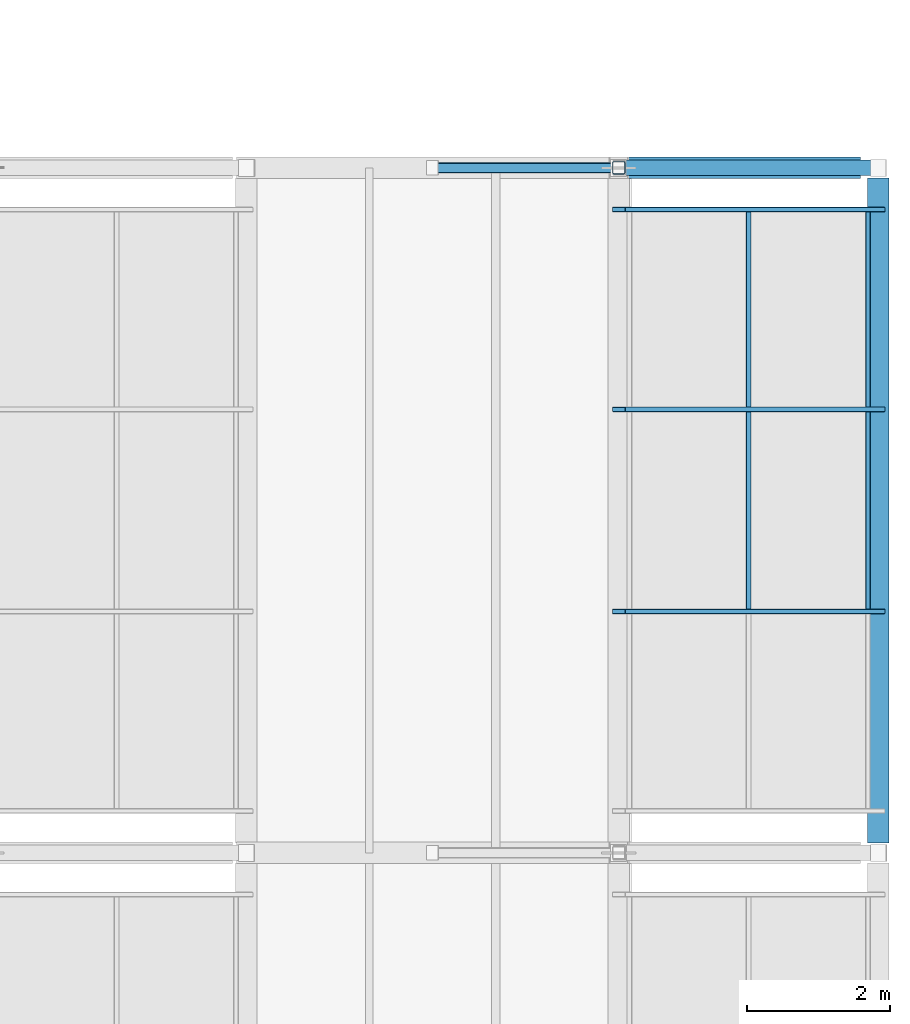
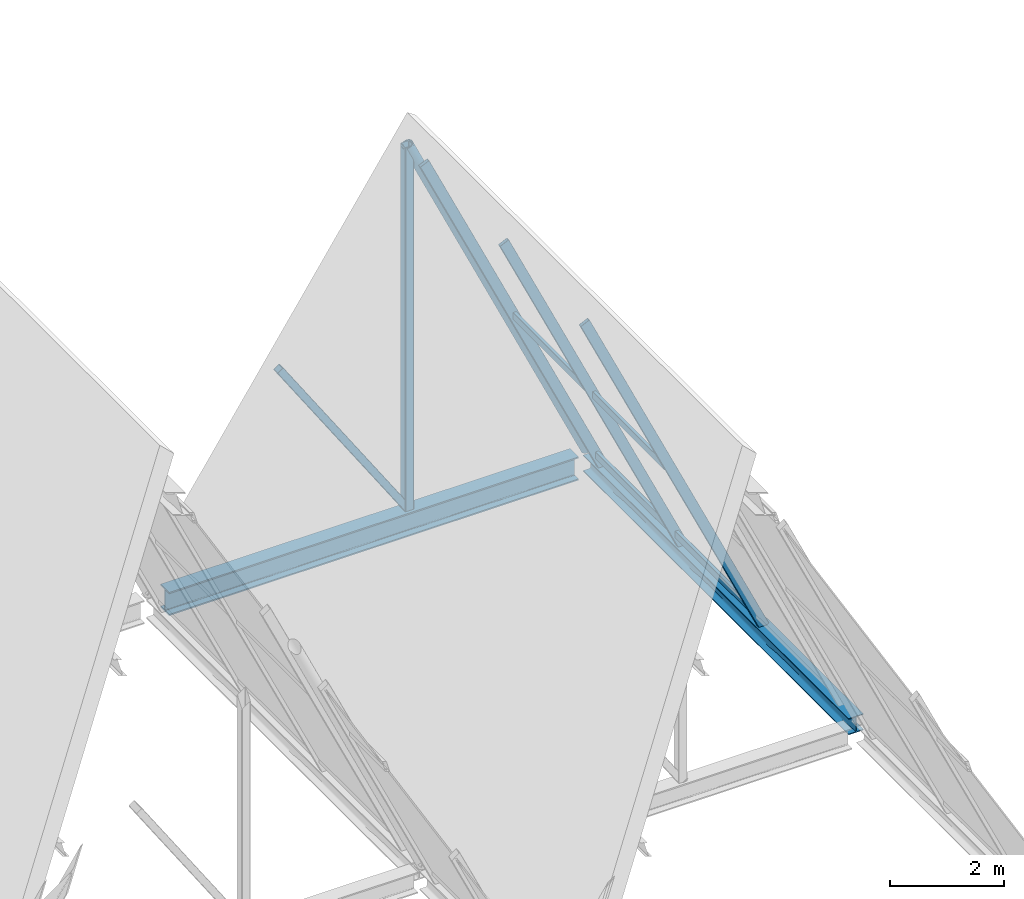
# One storey, part 62 of 99: 10 members, 2 beams, 1 element without a shape of its own.
"""IFC4 building model written with IfcOpenShell, lengths in metres."""

from ifc_helpers import new_model, si_unit, direction, frame, origin, origin_2d, place, context, subcontext, project, spatial, hollow_rectangle, hollow_circle, i_section, extrude, material, material_profile, profile_set, type_object, element, aggregate, save


model = new_model("IFC4")

# Units and contexts
model_context = context("Model", 3, precision=1e-05, world=origin(), true_north=direction((0.0, 1.0)))
body_context = subcontext(model_context, "Body", "Model", "MODEL_VIEW")
ifc_project = project(units=[si_unit("LENGTHUNIT", "METRE"), si_unit("AREAUNIT", "SQUARE_METRE"), si_unit("VOLUMEUNIT", "CUBIC_METRE"), si_unit("PLANEANGLEUNIT", "RADIAN"), si_unit("MASSUNIT", "GRAM", prefix="KILO")], contexts=[model_context])

# Site, building, storey
site_placement = place(None, origin())
site = spatial("IfcSite", under=ifc_project, at=site_placement, CompositionType="ELEMENT")
building_placement = place(site_placement, origin())
building = spatial("IfcBuilding", under=site, at=building_placement, Name="Bramveld Media Centre", CompositionType="ELEMENT")
storey_placement = place(building_placement, frame((0.0, 0.0, 13.800048828125)))
storey = spatial("IfcBuildingStorey", under=building, at=storey_placement, Name="L03", CompositionType="ELEMENT", Elevation=13.800048828125)

# Curtain wall, members
ifc_material_1 = material(Name="Thermally broken anodized bronze aluminium unitized curtain wall with solar-control triple glazing", Category="aluminium")
curtain_wall_type = type_object("IfcCurtainWallType", Name="CW-SAW-8500x8606", PredefinedType="NOTDEFINED", material=ifc_material_1)
curtain_wall_placement = place(storey_placement, origin())
curtain_wall = element("IfcCurtainWall", 1, at=curtain_wall_placement, inside=storey, type_object=curtain_wall_type, Name="V1 sawtooth north-light clerestory B7-S3", PredefinedType="NOTDEFINED")
ifc_material_2 = material(Name="Thermally broken anodized bronze aluminium EN AW-6063 T6 curtain-wall framing", Category="aluminium")
ifc_material_profile_1 = material_profile(ifc_material_2, hollow_rectangle(XDim=0.070068359375, YDim=0.199951171875, WallThickness=0.00439453125, InnerFilletRadius=0.00439453125, OuterFilletRadius=0.009033203125, at=origin_2d()), Name="AL-MULL 70x200")
ifc_profile_set_1 = profile_set([ifc_material_profile_1], Name="Thermally broken anodized bronze aluminium EN AW-6063 T6 curtain-wall framing")
member_type_1 = type_object("IfcMemberType", Name="CW-MULL-SLP", PredefinedType="MULLION", material=ifc_profile_set_1)
member_1_placement = place(storey_placement, frame((186.0, 32.183349609375, -0.02001953125), z_axis=(-0.423956992265, 0.0, 0.90568232218), x_axis=(0.0, -1.0, 0.0)))
member_1 = element("IfcMember", 2, at=member_1_placement, type_object=member_type_1, Name="CW-SA-8586 sloped mullion 2", PredefinedType="MULLION", context=body_context, shape_type="SweptSolid", body=[
    extrude(hollow_rectangle(XDim=0.070068359375, YDim=0.199951171875, WallThickness=0.00439453125, InnerFilletRadius=0.00439453125, OuterFilletRadius=0.009033203125, at=origin_2d()), origin(), (0.0, 0.0, 1.0), 8.5791015625),
])
member_2_placement = place(storey_placement, frame((186.0, 35.0166015625, -0.02001953125), z_axis=(-0.423956992265, 0.0, 0.90568232218), x_axis=(0.0, -1.0, 0.0)))
member_2 = element("IfcMember", 3, at=member_2_placement, type_object=member_type_1, Name="CW-SA-8586 sloped mullion 3", PredefinedType="MULLION", context=body_context, shape_type="SweptSolid", body=[
    extrude(hollow_rectangle(XDim=0.070068359375, YDim=0.199951171875, WallThickness=0.00439453125, InnerFilletRadius=0.00439453125, OuterFilletRadius=0.009033203125, at=origin_2d()), origin(), (0.0, 0.0, 1.0), 8.5791015625),
])
member_3_placement = place(storey_placement, frame((186.0, 37.81494140625, -0.02001953125), z_axis=(-0.423956992265, 0.0, 0.90568232218), x_axis=(0.0, -1.0, 0.0)))
member_3 = element("IfcMember", 4, at=member_3_placement, type_object=member_type_1, Name="CW-SA-8586 sloped mullion 4", PredefinedType="MULLION", context=body_context, shape_type="SweptSolid", body=[
    extrude(hollow_rectangle(XDim=0.070068359375, YDim=0.199951171875, WallThickness=0.00439453125, InnerFilletRadius=0.00439453125, OuterFilletRadius=0.009033203125, at=origin_2d()), origin(), (0.0, 0.0, 1.0), 8.5791015625),
])
ifc_material_3 = material(Name="Thermally broken anodized bronze aluminium EN AW-6063 T6 curtain-wall framing", Category="aluminium")
ifc_material_profile_2 = material_profile(ifc_material_3, hollow_rectangle(XDim=0.070068359375, YDim=0.14990234375, WallThickness=0.00390625, InnerFilletRadius=0.00390625, OuterFilletRadius=0.008056640625, at=origin_2d()), Name="AL-TRAN 70x150")
ifc_profile_set_2 = profile_set([ifc_material_profile_2], Name="Thermally broken anodized bronze aluminium EN AW-6063 T6 curtain-wall framing")
member_type_2 = type_object("IfcMemberType", Name="CW-TRAN-SLP", PredefinedType="USERDEFINED", material=ifc_profile_set_2)
member_4_placement = place(storey_placement, frame((185.8544921875, 32.21826171875, 0.290771484375), z_axis=(0.0, 1.0, 0.0), x_axis=(-1.0, 0.0, 0.0)))
member_4 = element("IfcMember", 5, at=member_4_placement, type_object=member_type_2, Name="CW-SA-8586 transom 2.1", ObjectType="TRANSOM", PredefinedType="USERDEFINED", context=body_context, shape_type="SweptSolid", body=[
    extrude(hollow_rectangle(XDim=0.070068359375, YDim=0.14990234375, WallThickness=0.00390625, InnerFilletRadius=0.00390625, OuterFilletRadius=0.008056640625, at=origin_2d()), origin(), (0.0, 0.0, 1.0), 2.763427734375),
])
member_5_placement = place(storey_placement, frame((184.181396484375, 32.21826171875, 3.864990234375), z_axis=(0.0, 1.0, 0.0), x_axis=(-1.0, 0.0, 0.0)))
member_5 = element("IfcMember", 6, at=member_5_placement, type_object=member_type_2, Name="CW-SA-8586 transom 2.2", ObjectType="TRANSOM", PredefinedType="USERDEFINED", context=body_context, shape_type="SweptSolid", body=[
    extrude(hollow_rectangle(XDim=0.070068359375, YDim=0.14990234375, WallThickness=0.00390625, InnerFilletRadius=0.00390625, OuterFilletRadius=0.008056640625, at=origin_2d()), origin(), (0.0, 0.0, 1.0), 2.763427734375),
])
member_6_placement = place(storey_placement, frame((185.8544921875, 35.0517578125, 0.290771484375), z_axis=(0.0, 1.0, 0.0), x_axis=(-1.0, 0.0, 0.0)))
member_6 = element("IfcMember", 7, at=member_6_placement, type_object=member_type_2, Name="CW-SA-8586 transom 3.1", ObjectType="TRANSOM", PredefinedType="USERDEFINED", context=body_context, shape_type="SweptSolid", body=[
    extrude(hollow_rectangle(XDim=0.070068359375, YDim=0.14990234375, WallThickness=0.00390625, InnerFilletRadius=0.00390625, OuterFilletRadius=0.008056640625, at=origin_2d()), origin(), (0.0, 0.0, 1.0), 2.728271484375),
])
member_7_placement = place(storey_placement, frame((184.181396484375, 35.0517578125, 3.864990234375), z_axis=(0.0, 1.0, 0.0), x_axis=(-1.0, 0.0, 0.0)))
member_7 = element("IfcMember", 8, at=member_7_placement, type_object=member_type_2, Name="CW-SA-8586 transom 3.2", ObjectType="TRANSOM", PredefinedType="USERDEFINED", context=body_context, shape_type="SweptSolid", body=[
    extrude(hollow_rectangle(XDim=0.070068359375, YDim=0.14990234375, WallThickness=0.00390625, InnerFilletRadius=0.00390625, OuterFilletRadius=0.008056640625, at=origin_2d()), origin(), (0.0, 0.0, 1.0), 2.728271484375),
])
aggregate(curtain_wall, [member_1, member_2, member_3, member_4, member_5, member_6, member_7])

# Members
ifc_material_4 = material(Name="Steel S355J2H", Category="steel")
ifc_material_profile_3 = material_profile(ifc_material_4, hollow_circle(Radius=0.109619140625, WallThickness=0.012451171875, at=origin_2d()), Name="CHS 219.1x12.5")
ifc_profile_set_3 = profile_set([ifc_material_profile_3], Name="Steel S355J2H")
member_type_3 = type_object("IfcMemberType", Name="MEM-BRACE-CHS219", PredefinedType="BRACE", material=ifc_profile_set_3)
member_8_placement = place(storey_placement, frame((186.0, 38.39990234375, 0.0), z_axis=(-0.422616785161, 0.0, 0.906308475575), x_axis=(0.0, -1.0, 0.0)))
element("IfcMember", 9, at=member_8_placement, inside=storey, type_object=member_type_3, Name="TRUSS-V1-B07-F5 north-light strut", PredefinedType="BRACE", context=body_context, shape_type="SweptSolid", body=[
    extrude(hollow_circle(Radius=0.109619140625, WallThickness=0.012451171875, at=origin_2d()), origin(), (0.0, 0.0, 1.0), 8.6064453125),
])
ifc_material_5 = material(Name="Steel S355J2H", Category="steel")
ifc_material_profile_4 = material_profile(ifc_material_5, hollow_rectangle(XDim=0.14990234375, YDim=0.14990234375, WallThickness=0.010009765625, InnerFilletRadius=0.010009765625, OuterFilletRadius=0.02001953125, at=origin_2d()), Name="SHS 150x150x10")
ifc_profile_set_4 = profile_set([ifc_material_profile_4], Name="Steel S355J2H")
member_type_4 = type_object("IfcMemberType", Name="MEM-BRACE-SHS150", PredefinedType="BRACE", material=ifc_profile_set_4)
member_9_placement = place(storey_placement, frame((182.36279296875, 38.39990234375, 0.0), z_axis=(-0.556200017124, 0.0, 0.831048458847), x_axis=(0.0, -1.0, 0.0)))
element("IfcMember", 10, at=member_9_placement, inside=storey, type_object=member_type_4, Name="TRUSS-V1-B07-F5 web diagonal", PredefinedType="BRACE", context=body_context, shape_type="SweptSolid", body=[
    extrude(hollow_rectangle(XDim=0.14990234375, YDim=0.14990234375, WallThickness=0.010009765625, InnerFilletRadius=0.010009765625, OuterFilletRadius=0.02001953125, at=origin_2d()), origin(), (0.0, 0.0, 1.0), 4.69287109375),
])
ifc_material_6 = material(Name="Steel S355J2H", Category="steel")
ifc_material_profile_5 = material_profile(ifc_material_6, hollow_rectangle(XDim=0.179931640625, YDim=0.179931640625, WallThickness=0.010009765625, InnerFilletRadius=0.010009765625, OuterFilletRadius=0.02001953125, at=origin_2d()), Name="SHS 180x180x10")
ifc_profile_set_5 = profile_set([ifc_material_profile_5], Name="Steel S355J2H")
member_type_5 = type_object("IfcMemberType", Name="MEM-POST-SHS180", PredefinedType="POST", material=ifc_profile_set_5)
member_10_placement = place(storey_placement, frame((182.36279296875, 38.39990234375, 0.0), z_axis=(0.0, 0.0, 1.0), x_axis=(1.0, 0.0, 0.0)))
element("IfcMember", 11, at=member_10_placement, inside=storey, type_object=member_type_5, Name="TRUSS-V1-B07-F5 kingpost", PredefinedType="POST", context=body_context, shape_type="SweptSolid", body=[
    extrude(hollow_rectangle(XDim=0.179931640625, YDim=0.179931640625, WallThickness=0.010009765625, InnerFilletRadius=0.010009765625, OuterFilletRadius=0.02001953125, at=origin_2d()), origin(), (0.0, 0.0, 1.0), 7.800048828125),
])

# Beams
ifc_material_7 = material(Name="Steel S355J2", Category="steel")
ifc_material_profile_6 = material_profile(ifc_material_7, i_section(OverallWidth=0.300048828125, OverallDepth=0.35009765625, WebThickness=0.010009765625, FlangeThickness=0.017578125, FilletRadius=0.027099609375, at=origin_2d()), Name="HEA 360")
ifc_profile_set_6 = profile_set([ifc_material_profile_6], Name="Steel S355J2")
beam_type_1 = type_object("IfcBeamType", Name="SBM-EXT-HEA-360", PredefinedType="BEAM", material=ifc_profile_set_6)
beam_1_placement = place(storey_placement, frame((186.0, 28.93994140625, -0.175048828125), z_axis=(0.0, 1.0, 0.0), x_axis=(-1.0, 0.0, 0.0)))
element("IfcBeam", 12, at=beam_1_placement, inside=storey, type_object=beam_type_1, Name="V1 valley spine girder 7", PredefinedType="BEAM", context=body_context, shape_type="SweptSolid", body=[
    extrude(i_section(OverallWidth=0.300048828125, OverallDepth=0.35009765625, WebThickness=0.010009765625, FlangeThickness=0.017578125, FilletRadius=0.027099609375, at=origin_2d()), origin(), (0.0, 0.0, 1.0), 9.320068359375),
])
ifc_material_8 = material(Name="Steel S355J2", Category="steel")
ifc_material_profile_7 = material_profile(ifc_material_8, i_section(OverallWidth=0.300048828125, OverallDepth=0.5, WebThickness=0.014404296875, FlangeThickness=0.028076171875, FilletRadius=0.027099609375, at=origin_2d()), Name="HEB 500")
ifc_profile_set_7 = profile_set([ifc_material_profile_7], Name="Steel S355J2")
beam_type_2 = type_object("IfcBeamType", Name="SBM-EXT-HEB-500", PredefinedType="BEAM", material=ifc_profile_set_7)
beam_2_placement = place(storey_placement, frame((177.449951171875, 38.39990234375, -0.25), z_axis=(1.0, 0.0, 0.0), x_axis=(0.0, 1.0, 0.0)))
element("IfcBeam", 13, at=beam_2_placement, inside=storey, type_object=beam_type_2, Name="V1 sawtooth tie girder", PredefinedType="BEAM", context=body_context, shape_type="SweptSolid", body=[
    extrude(i_section(OverallWidth=0.300048828125, OverallDepth=0.5, WebThickness=0.014404296875, FlangeThickness=0.028076171875, FilletRadius=0.027099609375, at=origin_2d()), origin(), (0.0, 0.0, 1.0), 8.300048828125),
])

save(model, "model.ifc")
